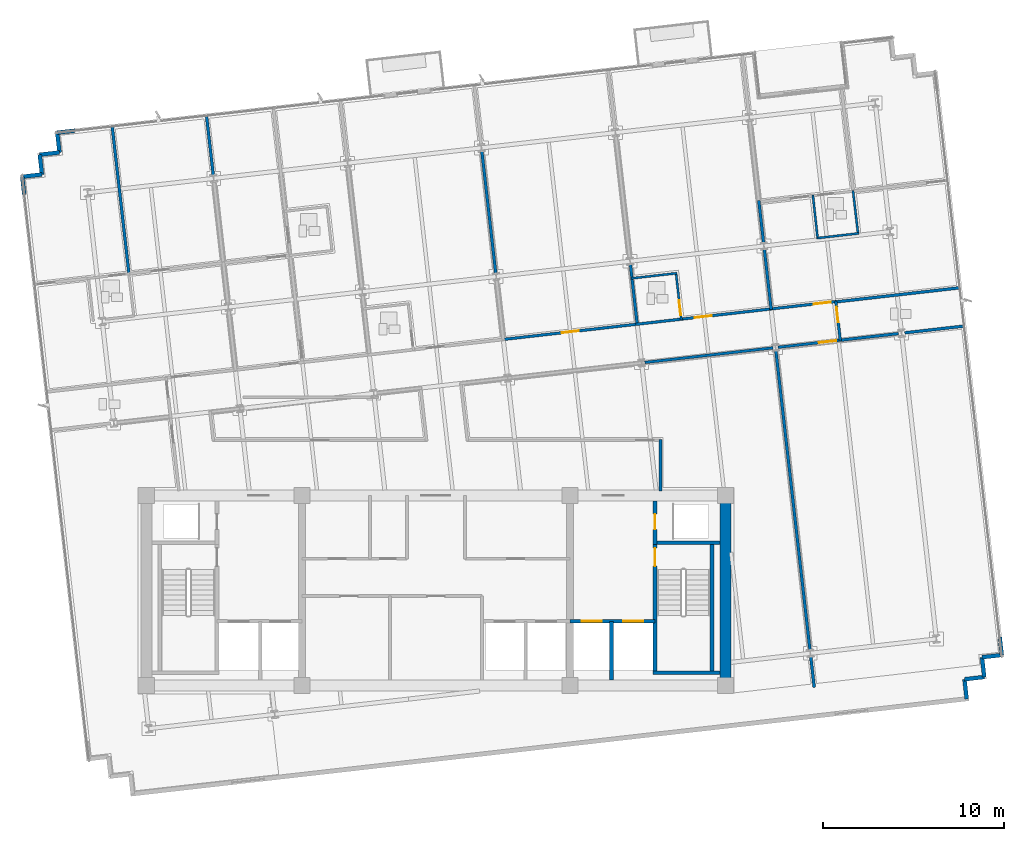
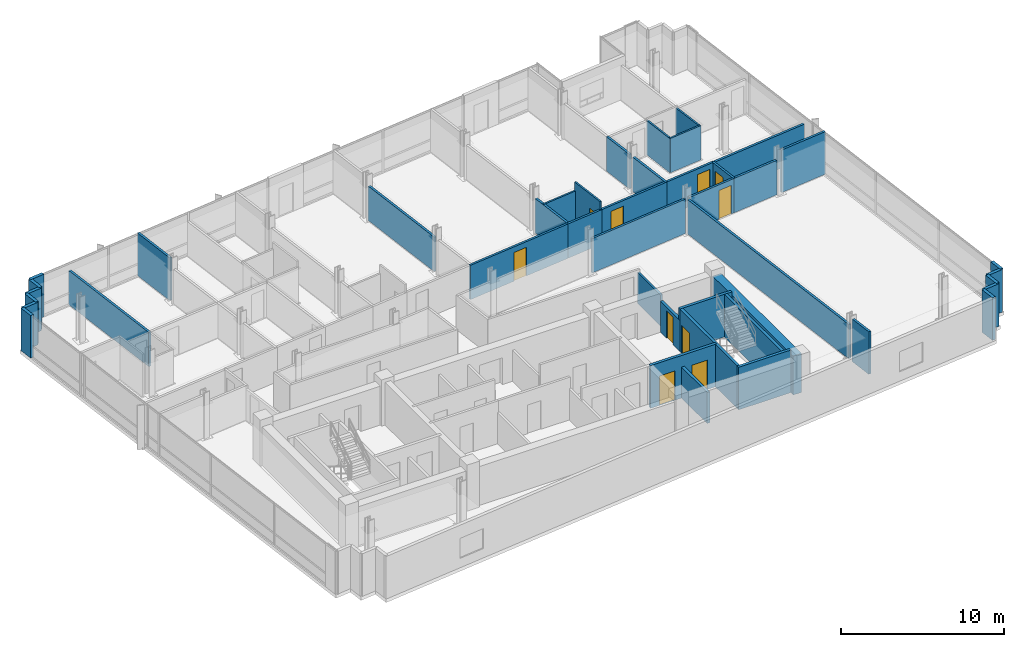
# One storey, part 11 of 16: 43 walls, 10 doors, 10 openings.
"""IFC4 building model written with IfcOpenShell, lengths in metres."""

from ifc_helpers import new_model, si_unit, direction, frame, frame_2d, origin, place, context, subcontext, project, spatial, rectangle, extrude, material, layer, layer_set, type_object, element, fill, save


model = new_model("IFC4")

# Units and contexts
model_context = context("Model", 3, precision=1e-05, world=origin(), true_north=direction((0.0, 1.0)))
body_context = subcontext(model_context, "Body", "Model", "MODEL_VIEW")
ifc_project = project(units=[si_unit("LENGTHUNIT", "METRE"), si_unit("AREAUNIT", "SQUARE_METRE"), si_unit("VOLUMEUNIT", "CUBIC_METRE"), si_unit("PLANEANGLEUNIT", "RADIAN"), si_unit("MASSUNIT", "GRAM", prefix="KILO")], contexts=[model_context])

# Site, building, storey
site_placement = place(None, origin())
site = spatial("IfcSite", under=ifc_project, at=site_placement, CompositionType="ELEMENT")
building_placement = place(site_placement, origin())
building = spatial("IfcBuilding", under=site, at=building_placement, Name="Solmavex Isthmus Hotel", CompositionType="ELEMENT")
storey_placement = place(building_placement, frame((0.0, 0.0, 219.300048828125)))
storey = spatial("IfcBuildingStorey", under=building, at=storey_placement, Name="L59", CompositionType="ELEMENT", Elevation=219.300048828125)

# Walls
ifc_material_1 = material(Name="Precast Concrete C40/50", Category="concrete")
ifc_layer_1 = layer(ifc_material_1, 0.25)
ifc_layer_set_1 = layer_set([ifc_layer_1], Name="Precast Concrete C40/50")
wall_type_1 = type_object("IfcWallType", Name="EW-TWR-250", PredefinedType="STANDARD", material=ifc_layer_set_1)
wall_1_placement = place(storey_placement, frame((-22.74755859375, 14.128173828125, 0.0), z_axis=(0.0, 0.0, 1.0), x_axis=(-0.113191877531, 0.993573147212, 0.0)))
element("IfcWall", 1, at=wall_1_placement, inside=storey, type_object=wall_type_1, Name="Serrated Corner Facade Panel L59-07", PredefinedType="STANDARD", context=body_context, shape_type="SweptSolid", body=[
    extrude(rectangle(XDim=0.989990234375, YDim=0.219970703125, at=frame_2d((0.4951171875, 0.0))), origin(), (0.0, 0.0, 1.0), 3.18994140625),
])
wall_2_placement = place(storey_placement, frame((-22.859619140625, 15.11181640625, 0.0), z_axis=(0.0, 0.0, 1.0), x_axis=(0.99357409499, 0.113183557839, 0.0)))
element("IfcWall", 2, at=wall_2_placement, inside=storey, type_object=wall_type_1, Name="Serrated Corner Facade Panel L59-08", PredefinedType="STANDARD", context=body_context, shape_type="SweptSolid", body=[
    extrude(rectangle(XDim=1.10009765625, YDim=0.219970703125, at=frame_2d((0.550048828125, 0.0))), origin(), (0.0, 0.0, 1.0), 3.18994140625),
])
wall_3_placement = place(storey_placement, frame((-21.7666015625, 15.236328125, 0.0), z_axis=(0.0, 0.0, 1.0), x_axis=(-0.11320852056, 0.99357125103, 0.0)))
element("IfcWall", 3, at=wall_3_placement, inside=storey, type_object=wall_type_1, Name="Serrated Corner Facade Panel L59-09", PredefinedType="STANDARD", context=body_context, shape_type="SweptSolid", body=[
    extrude(rectangle(XDim=1.099853515625, YDim=0.219970703125, at=frame_2d((0.5498046875, 0.0))), origin(), (0.0, 0.0, 1.0), 3.18994140625),
])
for number, where, z_axis, x_axis, name in (
    (4, (-21.89111328125, 16.3291015625, 0.0), (0.0, 0.0, 1.0), (0.99357409499, 0.113183557839, 0.0), "Serrated Corner Facade Panel L59-10"),
    (5, (-20.798095703125, 16.45361328125, 0.0), (0.0, 0.0, 1.0), (-0.113402635104, 0.993549114212, 0.0), "Serrated Corner Facade Panel L59-11"),
):
    element("IfcWall", number, at=place(storey_placement, frame(where, z_axis=z_axis, x_axis=x_axis)), inside=storey, type_object=wall_type_1, Name=name, PredefinedType="STANDARD", context=body_context, shape_type="SweptSolid", body=[
        extrude(rectangle(XDim=1.10009765625, YDim=0.219970703125, at=frame_2d((0.550048828125, 0.0))), origin(), (0.0, 0.0, 1.0), 3.18994140625),
    ])
for number, where, z_axis, x_axis, name in (
    (6, (-20.9228515625, 17.546630859375, 0.0), (0.0, 0.0, 1.0), (0.993573147212, 0.113191877531, 0.0), "Serrated Corner Facade Panel L59-12"),
    (7, (31.1474609375, -10.328125, 0.0), (0.0, 0.0, 1.0), (0.113191877531, -0.993573147212, 0.0), "Serrated Corner Facade Panel L59-21"),
):
    element("IfcWall", number, at=place(storey_placement, frame(where, z_axis=z_axis, x_axis=x_axis)), inside=storey, type_object=wall_type_1, Name=name, PredefinedType="STANDARD", context=body_context, shape_type="SweptSolid", body=[
        extrude(rectangle(XDim=0.989990234375, YDim=0.219970703125, at=frame_2d((0.4951171875, 0.0))), origin(), (0.0, 0.0, 1.0), 3.18994140625),
    ])
wall_4_placement = place(storey_placement, frame((31.259521484375, -11.311767578125, 0.0), z_axis=(0.0, 0.0, 1.0), x_axis=(-0.99357409499, -0.113183557839, 0.0)))
element("IfcWall", 8, at=wall_4_placement, inside=storey, type_object=wall_type_1, Name="Serrated Corner Facade Panel L59-22", PredefinedType="STANDARD", context=body_context, shape_type="SweptSolid", body=[
    extrude(rectangle(XDim=1.10009765625, YDim=0.219970703125, at=frame_2d((0.550048828125, 0.0))), origin(), (0.0, 0.0, 1.0), 3.18994140625),
])
wall_5_placement = place(storey_placement, frame((30.16650390625, -11.436279296875, 0.0), z_axis=(0.0, 0.0, 1.0), x_axis=(0.113427644885, -0.993546259303, 0.0)))
element("IfcWall", 9, at=wall_5_placement, inside=storey, type_object=wall_type_1, Name="Serrated Corner Facade Panel L59-23", PredefinedType="STANDARD", context=body_context, shape_type="SweptSolid", body=[
    extrude(rectangle(XDim=1.099853515625, YDim=0.219970703125, at=frame_2d((0.5498046875, 0.0))), origin(), (0.0, 0.0, 1.0), 3.18994140625),
])
for number, where, z_axis, x_axis, name in (
    (10, (30.291259765625, -12.529052734375, 0.0), (0.0, 0.0, 1.0), (-0.99357409499, -0.113183557839, 0.0), "Serrated Corner Facade Panel L59-24"),
    (11, (29.1982421875, -12.653564453125, 0.0), (0.0, 0.0, 1.0), (0.113183557839, -0.99357409499, 0.0), "Serrated Corner Facade Panel L59-25"),
):
    element("IfcWall", number, at=place(storey_placement, frame(where, z_axis=z_axis, x_axis=x_axis)), inside=storey, type_object=wall_type_1, Name=name, PredefinedType="STANDARD", context=body_context, shape_type="SweptSolid", body=[
        extrude(rectangle(XDim=1.10009765625, YDim=0.219970703125, at=frame_2d((0.550048828125, 0.0))), origin(), (0.0, 0.0, 1.0), 3.18994140625),
    ])
ifc_material_2 = material(Name="Gypsum plasterboard lining", Category="gypsum")
ifc_layer_2 = layer(ifc_material_2, 0.159912109375)
ifc_layer_set_2 = layer_set([ifc_layer_2], Name="Gypsum plasterboard lining")
wall_type_2 = type_object("IfcWallType", Name="IW-COMP-160", PredefinedType="PARTITIONING", material=ifc_layer_set_2)
wall_6_placement = place(storey_placement, frame((-17.891845703125, 17.922119140625, 0.0), z_axis=(0.0, 0.0, 1.0), x_axis=(0.113204062827, -0.993571758938, 0.0)))
element("IfcWall", 12, at=wall_6_placement, inside=storey, type_object=wall_type_2, Name="Interior Partition Wall W-L59-P034", PredefinedType="PARTITIONING", context=body_context, shape_type="SweptSolid", body=[
    extrude(rectangle(XDim=8.26220703125, YDim=0.159912109375, at=frame_2d((4.131103515625, 0.0))), origin(), (0.0, 0.0, 1.0), 2.557373046875),
])
wall_7_placement = place(storey_placement, frame((-12.681396484375, 18.515869140625, 0.0), z_axis=(0.0, 0.0, 1.0), x_axis=(0.113171804991, -0.993575433752, 0.0)))
element("IfcWall", 13, at=wall_7_placement, inside=storey, type_object=wall_type_2, Name="Interior Partition Wall W-L59-P036", PredefinedType="PARTITIONING", context=body_context, shape_type="SweptSolid", body=[
    extrude(rectangle(XDim=3.34375, YDim=0.159912109375, at=frame_2d((1.671875, 0.0))), origin(), (0.0, 0.0, 1.0), 3.18994140625),
])
wall_8_placement = place(storey_placement, frame((2.533203125, 16.529052734375, 0.0), z_axis=(0.0, 0.0, 1.0), x_axis=(0.11321341463, -0.993570693382, 0.0)))
element("IfcWall", 14, at=wall_8_placement, inside=storey, type_object=wall_type_2, Name="Interior Partition Wall W-L59-P051", PredefinedType="PARTITIONING", context=body_context, shape_type="SweptSolid", body=[
    extrude(rectangle(XDim=6.79931640625, YDim=0.159912109375, at=frame_2d((3.399658203125, 0.0))), origin(), (0.0, 0.0, 1.0), 2.572265625),
])
wall_9_placement = place(storey_placement, frame((10.740966796875, 10.265869140625, 0.0), z_axis=(0.0, 0.0, 1.0), x_axis=(0.113220917918, -0.993569838384, 0.0)))
element("IfcWall", 15, at=wall_9_placement, inside=storey, type_object=wall_type_2, Name="Interior Partition Wall W-L59-P055", PredefinedType="PARTITIONING", context=body_context, shape_type="SweptSolid", body=[
    extrude(rectangle(XDim=3.36181640625, YDim=0.159912109375, at=frame_2d((1.680908203125, 0.0))), origin(), (0.0, 0.0, 1.0), 2.572265625),
])
wall_10_placement = place(storey_placement, frame((17.83251953125, 13.7998046875, 0.0), z_axis=(0.0, 0.0, 1.0), x_axis=(0.113172451573, -0.993575360104, 0.0)))
element("IfcWall", 16, at=wall_10_placement, inside=storey, type_object=wall_type_2, Name="Interior Partition Wall W-L59-P058", PredefinedType="PARTITIONING", context=body_context, shape_type="SweptSolid", body=[
    extrude(rectangle(XDim=2.355712890625, YDim=0.159912109375, at=frame_2d((1.177734375, 0.0))), origin(), (0.0, 0.0, 1.0), 2.572265625),
])
wall_11_placement = place(storey_placement, frame((18.13916015625, 11.108642578125, 0.0), z_axis=(0.0, 0.0, 1.0), x_axis=(0.113229088195, -0.993568907317, 0.0)))
element("IfcWall", 17, at=wall_11_placement, inside=storey, type_object=wall_type_2, Name="Interior Partition Wall W-L59-P059", PredefinedType="PARTITIONING", context=body_context, shape_type="SweptSolid", body=[
    extrude(rectangle(XDim=3.361572265625, YDim=0.159912109375, at=frame_2d((1.6806640625, 0.0))), origin(), (0.0, 0.0, 1.0), 2.572265625),
])
wall_12_placement = place(storey_placement, frame((28.977783203125, 8.98046875, 0.0), z_axis=(0.0, 0.0, 1.0), x_axis=(-0.993571800428, -0.113203698681, 0.0)))
element("IfcWall", 18, at=wall_12_placement, inside=storey, type_object=wall_type_2, Name="Interior Partition Wall W-L59-P067", PredefinedType="PARTITIONING", context=body_context, shape_type="SweptSolid", body=[
    extrude(rectangle(XDim=6.968017578125, YDim=0.159912109375, at=frame_2d((3.48388671875, 0.0))), origin(), (0.0, 0.0, 1.0), 2.557373046875),
])
wall_13_placement = place(storey_placement, frame((25.546142578125, 6.44580078125, 0.0), z_axis=(0.0, 0.0, 1.0), x_axis=(-0.993568592225, -0.113231853041, 0.0)))
element("IfcWall", 19, at=wall_13_placement, inside=storey, type_object=wall_type_2, Name="Interior Partition Wall W-L59-P072", PredefinedType="PARTITIONING", context=body_context, shape_type="SweptSolid", body=[
    extrude(rectangle(XDim=3.281494140625, YDim=0.159912109375, at=frame_2d((1.640625, 0.0))), origin(), (0.0, 0.0, 1.0), 2.572265625),
])
wall_14_placement = place(storey_placement, frame((29.21875, 6.864013671875, 0.0), z_axis=(0.0, 0.0, 1.0), x_axis=(-0.993574498496, -0.113180015629, 0.0)))
element("IfcWall", 20, at=wall_14_placement, inside=storey, type_object=wall_type_2, Name="Interior Partition Wall W-L59-P073", PredefinedType="PARTITIONING", context=body_context, shape_type="SweptSolid", body=[
    extrude(rectangle(XDim=3.343505859375, YDim=0.159912109375, at=frame_2d((1.671875, 0.0))), origin(), (0.0, 0.0, 1.0), 3.18994140625),
])
wall_15_placement = place(storey_placement, frame((18.778564453125, 5.4970703125, 0.0), z_axis=(0.0, 0.0, 1.0), x_axis=(0.113202873157, -0.993571894484, 0.0)))
element("IfcWall", 21, at=wall_15_placement, inside=storey, type_object=wall_type_2, Name="Interior Partition Wall W-L59-P074", PredefinedType="PARTITIONING", context=body_context, shape_type="SweptSolid", body=[
    extrude(rectangle(XDim=16.647216796875, YDim=0.159912109375, at=frame_2d((8.32373046875, 0.0))), origin(), (0.0, 0.0, 1.0), 2.572265625),
])
wall_16_placement = place(storey_placement, frame((20.702880859375, -11.3935546875, 0.0), z_axis=(0.0, 0.0, 1.0), x_axis=(0.113261307971, -0.993565234958, 0.0)))
element("IfcWall", 22, at=wall_16_placement, inside=storey, type_object=wall_type_2, Name="Interior Partition Wall W-L59-P075", PredefinedType="PARTITIONING", context=body_context, shape_type="SweptSolid", body=[
    extrude(rectangle(XDim=1.713623046875, YDim=0.159912109375, at=frame_2d((0.85693359375, 0.0))), origin(), (0.0, 0.0, 1.0), 3.18994140625),
])

# Wall, opening, door
ifc_layer_3 = layer(ifc_material_2, 0.14990234375)
ifc_layer_set_3 = layer_set([ifc_layer_3], Name="Gypsum plasterboard lining")
wall_type_3 = type_object("IfcWallType", Name="IW-CORR-150", PredefinedType="PARTITIONING", material=ifc_layer_set_3)
wall_17_placement = place(storey_placement, frame((3.637451171875, 6.11328125, 0.0), z_axis=(0.0, 0.0, 1.0), x_axis=(0.993570360949, 0.113216332056, 0.0)))
wall_17 = element("IfcWall", 23, at=wall_17_placement, inside=storey, type_object=wall_type_3, Name="Interior Partition Wall W-L59-P006", PredefinedType="PARTITIONING", context=body_context, shape_type="SweptSolid", body=[
    extrude(rectangle(XDim=7.60986328125, YDim=0.14990234375, at=frame_2d((3.804931640625, 0.0))), origin(), (0.0, 0.0, 1.0), 2.572265625),
])
opening_1_placement = place(wall_17_placement, frame((3.330078125, 0.0, 0.0)))
opening_1 = element("IfcOpeningElement", 24, at=opening_1_placement, cuts=wall_17, Name="Opening ID-C095", PredefinedType="OPENING", context=body_context, shape_type="SweptSolid", body=[
    extrude(rectangle(XDim=0.949951171875, YDim=2.14990234375, at=frame_2d((0.47509765625, 1.074951171875))), frame((0.0, 0.0849609375, 0.0), z_axis=(0.0, -1.0, 0.0), x_axis=(1.0, 0.0, 0.0)), (0.0, 0.0, 1.0), 0.169921875),
])
ifc_material_3 = material(Name="Hardwood timber", Category="wood")
door_type_1 = type_object("IfcDoorType", Name="IDR-FD60-0950", OperationType="NOTDEFINED", PredefinedType="DOOR", material=ifc_material_3)
door_1_placement = place(opening_1_placement, origin())
door_1 = element("IfcDoor", 25, at=door_1_placement, inside=storey, type_object=door_type_1, Name="Ambassador Banquet Lounge Door L59-11", OperationType="SINGLE_SWING_LEFT", OverallHeight=2.14990234375, OverallWidth=0.949951171875, PredefinedType="DOOR", context=body_context, shape_type="SweptSolid", body=[
    extrude(rectangle(XDim=0.949951171875, YDim=2.14990234375, at=frame_2d((0.47509765625, 1.074951171875))), frame((0.0, 0.02490234375, 0.0), z_axis=(0.0, -1.0, 0.0), x_axis=(1.0, 0.0, 0.0)), (0.0, 0.0, 1.0), 0.050048828125),
])
fill(opening_1, door_1)

wall_18_placement = place(storey_placement, frame((13.4697265625, 7.233642578125, 0.0), z_axis=(0.0, 0.0, 1.0), x_axis=(0.993569981158, 0.113219664996, 0.0)))
wall_18 = element("IfcWall", 26, at=wall_18_placement, inside=storey, type_object=wall_type_3, Name="Interior Partition Wall W-L59-P007", PredefinedType="PARTITIONING", context=body_context, shape_type="SweptSolid", body=[
    extrude(rectangle(XDim=5.16015625, YDim=0.14990234375, at=frame_2d((2.580078125, 0.0))), origin(), (0.0, 0.0, 1.0), 2.572265625),
])
opening_2_placement = place(wall_18_placement, frame((0.82470703125, 0.0, 0.0)))
opening_2 = element("IfcOpeningElement", 27, at=opening_2_placement, cuts=wall_18, Name="Opening ID-C095", PredefinedType="OPENING", context=body_context, shape_type="SweptSolid", body=[
    extrude(rectangle(XDim=0.949951171875, YDim=2.14990234375, at=frame_2d((0.47509765625, 1.074951171875))), frame((0.0, 0.0849609375, 0.0), z_axis=(0.0, -1.0, 0.0), x_axis=(1.0, 0.0, 0.0)), (0.0, 0.0, 1.0), 0.169921875),
])
door_2_placement = place(opening_2_placement, origin())
door_2 = element("IfcDoor", 28, at=door_2_placement, inside=storey, type_object=door_type_1, Name="Corner Diplomatic Suite Door L59-12", OperationType="SINGLE_SWING_RIGHT", OverallHeight=2.14990234375, OverallWidth=0.949951171875, PredefinedType="DOOR", context=body_context, shape_type="SweptSolid", body=[
    extrude(rectangle(XDim=0.949951171875, YDim=2.14990234375, at=frame_2d((0.47509765625, 1.074951171875))), frame((0.0, 0.02490234375, 0.0), z_axis=(0.0, -1.0, 0.0), x_axis=(1.0, 0.0, 0.0)), (0.0, 0.0, 1.0), 0.050048828125),
])
fill(opening_2, door_2)

# Wall
wall_19_placement = place(storey_placement, frame((11.03564453125, 6.956298828125, 0.0), z_axis=(0.0, 0.0, 1.0), x_axis=(0.993572349416, 0.113198880193, 0.0)))
element("IfcWall", 29, at=wall_19_placement, inside=storey, type_object=wall_type_3, Name="Interior Partition Wall W-L59-P008", PredefinedType="PARTITIONING", context=body_context, shape_type="SweptSolid", body=[
    extrude(rectangle(XDim=2.614013671875, YDim=0.14990234375, at=frame_2d((1.30712890625, 0.0))), origin(), (0.0, 0.0, 1.0), 2.572265625),
])

# Wall, opening, door
wall_20_placement = place(storey_placement, frame((18.43359375, 7.79931640625, 0.0), z_axis=(0.0, 0.0, 1.0), x_axis=(0.993578468541, 0.11314515832, 0.0)))
wall_20 = element("IfcWall", 30, at=wall_20_placement, inside=storey, type_object=wall_type_3, Name="Interior Partition Wall W-L59-P009", PredefinedType="PARTITIONING", context=body_context, shape_type="SweptSolid", body=[
    extrude(rectangle(XDim=3.72216796875, YDim=0.14990234375, at=frame_2d((1.861083984375, 0.0))), origin(), (0.0, 0.0, 1.0), 2.572265625),
])
opening_3_placement = place(wall_20_placement, frame((2.456787109375, 0.0, 0.0)))
opening_3 = element("IfcOpeningElement", 31, at=opening_3_placement, cuts=wall_20, Name="Opening ID-C095", PredefinedType="OPENING", context=body_context, shape_type="SweptSolid", body=[
    extrude(rectangle(XDim=0.949951171875, YDim=2.14990234375, at=frame_2d((0.47509765625, 1.074951171875))), frame((0.0, 0.0849609375, 0.0), z_axis=(0.0, -1.0, 0.0), x_axis=(1.0, 0.0, 0.0)), (0.0, 0.0, 1.0), 0.169921875),
])
door_3_placement = place(opening_3_placement, origin())
door_3 = element("IfcDoor", 32, at=door_3_placement, inside=storey, type_object=door_type_1, Name="Diplomatic Hospitality Suite Reception Foyer Door L59-14", OperationType="SINGLE_SWING_RIGHT", OverallHeight=2.14990234375, OverallWidth=0.949951171875, PredefinedType="DOOR", context=body_context, shape_type="SweptSolid", body=[
    extrude(rectangle(XDim=0.949951171875, YDim=2.14990234375, at=frame_2d((0.47509765625, 1.074951171875))), frame((0.0, 0.02490234375, 0.0), z_axis=(0.0, -1.0, 0.0), x_axis=(1.0, 0.0, 0.0)), (0.0, 0.0, 1.0), 0.050048828125),
])
fill(opening_3, door_3)

wall_21_placement = place(storey_placement, frame((22.08984375, 8.23583984375, 0.0), z_axis=(0.0, 0.0, 1.0), x_axis=(0.113122854389, -0.993581008179, 0.0)))
wall_21 = element("IfcWall", 33, at=wall_21_placement, inside=storey, type_object=wall_type_3, Name="Interior Partition Wall W-L59-P011", PredefinedType="PARTITIONING", context=body_context, shape_type="SweptSolid", body=[
    extrude(rectangle(XDim=2.2099609375, YDim=0.14990234375, at=frame_2d((1.10498046875, 0.0))), origin(), (0.0, 0.0, 1.0), 2.572265625),
])
opening_4_placement = place(wall_21_placement, frame((0.322265625, 0.0, 0.0)))
opening_4 = element("IfcOpeningElement", 34, at=opening_4_placement, cuts=wall_21, Name="Opening ID-R085", PredefinedType="OPENING", context=body_context, shape_type="SweptSolid", body=[
    extrude(rectangle(XDim=0.85009765625, YDim=2.050048828125, at=frame_2d((0.425048828125, 1.02490234375))), frame((0.0, 0.0849609375, 0.0), z_axis=(0.0, -1.0, 0.0), x_axis=(1.0, 0.0, 0.0)), (0.0, 0.0, 1.0), 0.169921875),
])
ifc_material_4 = material(Name="Steel ASTM A500 Grade C", Category="steel")
door_type_2 = type_object("IfcDoorType", Name="IDR-FD60-0850", OperationType="NOTDEFINED", PredefinedType="DOOR", material=ifc_material_4)
door_4_placement = place(opening_4_placement, frame((0.85009765625, 0.0, 0.0), z_axis=(0.0, 0.0, 1.0), x_axis=(-1.0, 0.0, 0.0)))
door_4 = element("IfcDoor", 35, at=door_4_placement, inside=storey, type_object=door_type_2, Name="Public Restroom WC Door L59-19", OperationType="SINGLE_SWING_LEFT", OverallHeight=2.050048828125, OverallWidth=0.85009765625, PredefinedType="DOOR", context=body_context, shape_type="SweptSolid", body=[
    extrude(rectangle(XDim=0.85009765625, YDim=2.050048828125, at=frame_2d((0.425048828125, 1.02490234375))), frame((0.0, 0.02490234375, 0.0), z_axis=(0.0, -1.0, 0.0), x_axis=(1.0, 0.0, 0.0)), (0.0, 0.0, 1.0), 0.050048828125),
])
fill(opening_4, door_4)

# Walls
wall_22_placement = place(storey_placement, frame((12.39990234375, 0.590087890625, 0.0), z_axis=(0.0, 0.0, 1.0), x_axis=(0.0, -1.0, 0.0)))
element("IfcWall", 36, at=wall_22_placement, inside=storey, type_object=wall_type_3, Name="Interior Partition Wall W-L59-P022", PredefinedType="PARTITIONING", context=body_context, shape_type="SweptSolid", body=[
    extrude(rectangle(XDim=2.830078125, YDim=0.14990234375, at=frame_2d((1.4150390625, 0.0))), origin(), (0.0, 0.0, 1.0), 2.324951171875),
])
wall_23_placement = place(storey_placement, frame((18.625, 5.6572265625, 0.0), z_axis=(0.0, 0.0, 1.0), x_axis=(-0.993569785772, -0.11322137961, 0.0)))
element("IfcWall", 37, at=wall_23_placement, inside=storey, type_object=wall_type_3, Name="Interior Partition Wall W-L59-P024", PredefinedType="PARTITIONING", context=body_context, shape_type="SweptSolid", body=[
    extrude(rectangle(XDim=7.13525390625, YDim=0.14990234375, at=frame_2d((3.567626953125, 0.0))), origin(), (0.0, 0.0, 1.0), 2.572265625),
])

# Wall, opening, door
wall_24_placement = place(storey_placement, frame((22.375244140625, 6.08447265625, 0.0), z_axis=(0.0, 0.0, 1.0), x_axis=(-0.993568982909, -0.113228424882, 0.0)))
wall_24 = element("IfcWall", 38, at=wall_24_placement, inside=storey, type_object=wall_type_3, Name="Interior Partition Wall W-L59-P025", PredefinedType="PARTITIONING", context=body_context, shape_type="SweptSolid", body=[
    extrude(rectangle(XDim=3.505859375, YDim=0.14990234375, at=frame_2d((1.7529296875, 0.0))), origin(), (0.0, 0.0, 1.0), 2.572265625),
])
opening_5_placement = place(wall_24_placement, frame((0.270751953125, 0.0, 0.0)))
opening_5 = element("IfcOpeningElement", 39, at=opening_5_placement, cuts=wall_24, Name="Opening ID-C095", PredefinedType="OPENING", context=body_context, shape_type="SweptSolid", body=[
    extrude(rectangle(XDim=0.949951171875, YDim=2.14990234375, at=frame_2d((0.47509765625, 1.074951171875))), frame((0.0, 0.0849609375, 0.0), z_axis=(0.0, -1.0, 0.0), x_axis=(1.0, 0.0, 0.0)), (0.0, 0.0, 1.0), 0.169921875),
])
door_5_placement = place(opening_5_placement, origin())
door_5 = element("IfcDoor", 40, at=door_5_placement, inside=storey, type_object=door_type_1, Name="Corporate Briefing Office Door L59-23", OperationType="SINGLE_SWING_LEFT", OverallHeight=2.14990234375, OverallWidth=0.949951171875, PredefinedType="DOOR", context=body_context, shape_type="SweptSolid", body=[
    extrude(rectangle(XDim=0.949951171875, YDim=2.14990234375, at=frame_2d((0.47509765625, 1.074951171875))), frame((0.0, 0.02490234375, 0.0), z_axis=(0.0, -1.0, 0.0), x_axis=(1.0, 0.0, 0.0)), (0.0, 0.0, 1.0), 0.050048828125),
])
fill(opening_5, door_5)

ifc_layer_4 = layer(ifc_material_2, 0.1201171875)
ifc_layer_set_4 = layer_set([ifc_layer_4], Name="Gypsum plasterboard lining")
wall_type_4 = type_object("IfcWallType", Name="IW-PART-120", PredefinedType="PARTITIONING", material=ifc_layer_set_4)
wall_25_placement = place(storey_placement, frame((13.555908203125, 7.203125, 0.0), z_axis=(0.0, 0.0, 1.0), x_axis=(-0.113242913364, 0.993567331676, 0.0)))
wall_25 = element("IfcWall", 41, at=wall_25_placement, inside=storey, type_object=wall_type_4, Name="Interior Partition Wall W-L59-P056", PredefinedType="PARTITIONING", context=body_context, shape_type="SweptSolid", body=[
    extrude(rectangle(XDim=2.630126953125, YDim=0.1201171875, at=frame_2d((1.31494140625, 0.0))), origin(), (0.0, 0.0, 1.0), 3.18994140625),
])
opening_6_placement = place(wall_25_placement, frame((0.247314453125, 0.0, 0.0)))
opening_6 = element("IfcOpeningElement", 42, at=opening_6_placement, cuts=wall_25, Name="Opening ID-U085", PredefinedType="OPENING", context=body_context, shape_type="SweptSolid", body=[
    extrude(rectangle(XDim=0.85009765625, YDim=2.10009765625, at=frame_2d((0.425048828125, 1.050048828125))), frame((0.0, 0.070068359375, 0.0), z_axis=(0.0, -1.0, 0.0), x_axis=(1.0, 0.0, 0.0)), (0.0, 0.0, 1.0), 0.14013671875),
])
door_type_3 = type_object("IfcDoorType", Name="IDR-UNR-0850", OperationType="NOTDEFINED", PredefinedType="DOOR", material=ifc_material_3)
door_6_placement = place(opening_6_placement, frame((0.85009765625, 0.0, 0.0), z_axis=(0.0, 0.0, 1.0), x_axis=(-1.0, 0.0, 0.0)))
door_6 = element("IfcDoor", 43, at=door_6_placement, inside=storey, type_object=door_type_3, Name="En-suite Bathroom Door L59-13", OperationType="SINGLE_SWING_LEFT", OverallHeight=2.10009765625, OverallWidth=0.85009765625, PredefinedType="DOOR", context=body_context, shape_type="SweptSolid", body=[
    extrude(rectangle(XDim=0.85009765625, YDim=2.10009765625, at=frame_2d((0.425048828125, 1.050048828125))), frame((0.0, 0.02490234375, 0.0), z_axis=(0.0, -1.0, 0.0), x_axis=(1.0, 0.0, 0.0)), (0.0, 0.0, 1.0), 0.050048828125),
])
fill(opening_6, door_6)

# Walls
wall_26_placement = place(storey_placement, frame((13.30224609375, 9.781005859375, 0.0), z_axis=(0.0, 0.0, 1.0), x_axis=(-0.99357273507, -0.113195495167, 0.0)))
element("IfcWall", 44, at=wall_26_placement, inside=storey, type_object=wall_type_4, Name="Interior Partition Wall W-L59-P057", PredefinedType="PARTITIONING", context=body_context, shape_type="SweptSolid", body=[
    extrude(rectangle(XDim=2.530029296875, YDim=0.1201171875, at=frame_2d((1.26513671875, 0.0))), origin(), (0.0, 0.0, 1.0), 2.572265625),
])
wall_27_placement = place(storey_placement, frame((20.822265625, 14.09814453125, 0.0), z_axis=(0.0, 0.0, 1.0), x_axis=(0.108909641448, -0.994051653587, 0.0)))
element("IfcWall", 45, at=wall_27_placement, inside=storey, type_object=wall_type_4, Name="Interior Partition Wall W-L59-P064", PredefinedType="PARTITIONING", context=body_context, shape_type="SweptSolid", body=[
    extrude(rectangle(XDim=2.429931640625, YDim=0.1201171875, at=frame_2d((1.21484375, 0.0))), origin(), (0.0, 0.0, 1.0), 2.572265625),
])
wall_28_placement = place(storey_placement, frame((21.04296875, 11.7177734375, 0.0), z_axis=(0.0, 0.0, 1.0), x_axis=(0.99357583204, 0.113168308226, 0.0)))
element("IfcWall", 46, at=wall_28_placement, inside=storey, type_object=wall_type_4, Name="Interior Partition Wall W-L59-P065", PredefinedType="PARTITIONING", context=body_context, shape_type="SweptSolid", body=[
    extrude(rectangle(XDim=2.329833984375, YDim=0.1201171875, at=frame_2d((1.1650390625, 0.0))), origin(), (0.0, 0.0, 1.0), 2.572265625),
])
wall_29_placement = place(storey_placement, frame((23.32275390625, 11.937255859375, 0.0), z_axis=(0.0, 0.0, 1.0), x_axis=(-0.117342526496, 0.993091502066, 0.0)))
element("IfcWall", 47, at=wall_29_placement, inside=storey, type_object=wall_type_4, Name="Interior Partition Wall W-L59-P066", PredefinedType="PARTITIONING", context=body_context, shape_type="SweptSolid", body=[
    extrude(rectangle(XDim=2.43017578125, YDim=0.1201171875, at=frame_2d((1.215087890625, 0.0))), origin(), (0.0, 0.0, 1.0), 2.572265625),
])

# Wall, opening, door
ifc_material_5 = material(Name="Concrete C40/50", Category="concrete")
ifc_layer_5 = layer(ifc_material_5, 0.199951171875)
ifc_layer_set_5 = layer_set([ifc_layer_5], Name="Concrete C40/50")
wall_type_5 = type_object("IfcWallType", Name="IW-SHAFT-200", PredefinedType="PARTITIONING", material=ifc_layer_set_5)
wall_30_placement = place(storey_placement, frame((12.10009765625, -5.199951171875, 0.0), z_axis=(0.0, 0.0, 1.0), x_axis=(0.0, 1.0, 0.0)))
wall_30 = element("IfcWall", 48, at=wall_30_placement, inside=storey, type_object=wall_type_5, Name="Interior Partition Wall W-L59-RSE-W", PredefinedType="PARTITIONING", context=body_context, shape_type="SweptSolid", body=[
    extrude(rectangle(XDim=2.39990234375, YDim=0.199951171875, at=frame_2d((1.199951171875, 0.0))), origin(), (0.0, 0.0, 1.0), 2.324951171875),
])
opening_7_placement = place(wall_30_placement, frame((0.824951171875, 0.0, 0.0)))
opening_7 = element("IfcOpeningElement", 49, at=opening_7_placement, cuts=wall_30, Name="Opening ID-R085", PredefinedType="OPENING", context=body_context, shape_type="SweptSolid", body=[
    extrude(rectangle(XDim=0.85009765625, YDim=2.050048828125, at=frame_2d((0.425048828125, 1.02490234375))), frame((0.0, 0.10986328125, 0.0), z_axis=(0.0, -1.0, 0.0), x_axis=(1.0, 0.0, 0.0)), (0.0, 0.0, 1.0), 0.219970703125),
])
door_7_placement = place(opening_7_placement, frame((0.85009765625, 0.0, 0.0), z_axis=(0.0, 0.0, 1.0), x_axis=(-1.0, 0.0, 0.0)))
door_7 = element("IfcDoor", 50, at=door_7_placement, inside=storey, type_object=door_type_2, Name="Mechanical Riser Door L59", OperationType="SINGLE_SWING_LEFT", OverallHeight=2.050048828125, OverallWidth=0.85009765625, PredefinedType="DOOR", context=body_context, shape_type="SweptSolid", body=[
    extrude(rectangle(XDim=0.85009765625, YDim=2.050048828125, at=frame_2d((0.425048828125, 1.02490234375))), frame((0.0, 0.02490234375, 0.0), z_axis=(0.0, -1.0, 0.0), x_axis=(1.0, 0.0, 0.0)), (0.0, 0.0, 1.0), 0.050048828125),
])
fill(opening_7, door_7)

# Wall, openings, doors
wall_31_placement = place(storey_placement, frame((7.39990234375, -9.449951171875, 0.0), z_axis=(0.0, 0.0, 1.0), x_axis=(1.0, 0.0, 0.0)))
wall_31 = element("IfcWall", 51, at=wall_31_placement, inside=storey, type_object=wall_type_5, Name="Interior Partition Wall W-L59-FFLE-S", PredefinedType="PARTITIONING", context=body_context, shape_type="SweptSolid", body=[
    extrude(rectangle(XDim=4.7001953125, YDim=0.199951171875, at=frame_2d((2.35009765625, 0.0))), origin(), (0.0, 0.0, 1.0), 3.18994140625),
])
opening_8_placement = place(wall_31_placement, frame((2.949951171875, 0.0, 0.0)))
opening_8 = element("IfcOpeningElement", 52, at=opening_8_placement, cuts=wall_31, Name="Opening LD-FF", PredefinedType="OPENING", context=body_context, shape_type="SweptSolid", body=[
    extrude(rectangle(XDim=1.10009765625, YDim=2.199951171875, at=frame_2d((0.550048828125, 1.10009765625))), frame((0.0, 0.10986328125, 0.0), z_axis=(0.0, -1.0, 0.0), x_axis=(1.0, 0.0, 0.0)), (0.0, 0.0, 1.0), 0.219970703125),
])
opening_9_placement = place(wall_31_placement, frame((0.64990234375, 0.0, 0.0)))
opening_9 = element("IfcOpeningElement", 53, at=opening_9_placement, cuts=wall_31, Name="Opening LD-SV", PredefinedType="OPENING", context=body_context, shape_type="SweptSolid", body=[
    extrude(rectangle(XDim=1.10009765625, YDim=2.199951171875, at=frame_2d((0.550048828125, 1.10009765625))), frame((0.0, 0.10986328125, 0.0), z_axis=(0.0, -1.0, 0.0), x_axis=(1.0, 0.0, 0.0)), (0.0, 0.0, 1.0), 0.219970703125),
])
ifc_material_6 = material(Name="Stainless steel 316", Category="steel")
door_type_4 = type_object("IfcDoorType", Name="LDR-FF-1100", OperationType="NOTDEFINED", PredefinedType="DOOR", material=ifc_material_6)
door_8_placement = place(opening_8_placement, origin())
door_8 = element("IfcDoor", 54, at=door_8_placement, inside=storey, type_object=door_type_4, Name="Lift Landing Door FFL-2 L59", OperationType="SLIDING_TO_LEFT", OverallHeight=2.199951171875, OverallWidth=1.10009765625, PredefinedType="DOOR", context=body_context, shape_type="SweptSolid", body=[
    extrude(rectangle(XDim=1.10009765625, YDim=2.199951171875, at=frame_2d((0.550048828125, 1.10009765625))), frame((0.0, 0.02490234375, 0.0), z_axis=(0.0, -1.0, 0.0), x_axis=(1.0, 0.0, 0.0)), (0.0, 0.0, 1.0), 0.050048828125),
])
fill(opening_8, door_8)
door_type_5 = type_object("IfcDoorType", Name="LDR-SV-1100", OperationType="NOTDEFINED", PredefinedType="DOOR", material=ifc_material_6)
door_9_placement = place(opening_9_placement, origin())
door_9 = element("IfcDoor", 55, at=door_9_placement, inside=storey, type_object=door_type_5, Name="Lift Landing Door SVL-2 L59", OperationType="SLIDING_TO_RIGHT", OverallHeight=2.199951171875, OverallWidth=1.10009765625, PredefinedType="DOOR", context=body_context, shape_type="SweptSolid", body=[
    extrude(rectangle(XDim=1.10009765625, YDim=2.199951171875, at=frame_2d((0.550048828125, 1.10009765625))), frame((0.0, 0.02490234375, 0.0), z_axis=(0.0, -1.0, 0.0), x_axis=(1.0, 0.0, 0.0)), (0.0, 0.0, 1.0), 0.050048828125),
])
fill(opening_9, door_9)

# Walls
wall_32_placement = place(storey_placement, frame((9.699951171875, -12.699951171875, 0.0), z_axis=(0.0, 0.0, 1.0), x_axis=(0.0, 1.0, 0.0)))
element("IfcWall", 56, at=wall_32_placement, inside=storey, type_object=wall_type_5, Name="Interior Partition Wall W-L59-FFLE-M", PredefinedType="PARTITIONING", context=body_context, shape_type="SweptSolid", body=[
    extrude(rectangle(XDim=3.25, YDim=0.199951171875, at=frame_2d((1.625, 0.0))), origin(), (0.0, 0.0, 1.0), 2.324951171875),
])
ifc_material_7 = material(Name="Concrete C50/60", Category="concrete")
ifc_layer_6 = layer(ifc_material_7, 0.60009765625)
ifc_layer_set_6 = layer_set([ifc_layer_6], Name="Concrete C50/60")
wall_type_6 = type_object("IfcWallType", Name="WALL-CW-600", PredefinedType="SHEAR", material=ifc_layer_set_6)
wall_33_placement = place(storey_placement, frame((16.0, -12.699951171875, 0.0), z_axis=(0.0, 0.0, 1.0), x_axis=(0.0, 1.0, 0.0)))
element("IfcWall", 57, at=wall_33_placement, inside=storey, type_object=wall_type_6, Name="Core Shear Wall East L59", PredefinedType="SHEAR", context=body_context, shape_type="SweptSolid", body=[
    extrude(rectangle(XDim=9.89990234375, YDim=0.60009765625, at=frame_2d((4.949951171875, 0.0))), origin(), (0.0, 0.0, 1.0), 2.909912109375),
])
ifc_layer_7 = layer(ifc_material_5, 0.199951171875)
ifc_layer_set_7 = layer_set([ifc_layer_7], Name="Concrete C40/50")
wall_type_7 = type_object("IfcWallType", Name="WALL-SW-200", PredefinedType="SOLIDWALL", material=ifc_layer_set_7)
for number, where, z_axis, x_axis, name in (
    (58, (12.0, -12.300048828125, 0.0), (0.0, 0.0, 1.0), (1.0, 0.0, 0.0), "Stairwell Structural Wall SW-L59-ST2-S"),
    (59, (12.0, -5.10009765625, 0.0), (0.0, 0.0, 1.0), (1.0, 0.0, 0.0), "Stairwell Structural Wall SW-L59-ST2-N"),
):
    element("IfcWall", number, at=place(storey_placement, frame(where, z_axis=z_axis, x_axis=x_axis)), inside=storey, type_object=wall_type_7, Name=name, PredefinedType="SOLIDWALL", context=body_context, shape_type="SweptSolid", body=[
        extrude(rectangle(XDim=3.699951171875, YDim=0.199951171875, at=frame_2d((1.85009765625, 0.0))), origin(), (0.0, 0.0, 1.0), 3.18994140625),
    ])

# Wall, opening, door
wall_34_placement = place(storey_placement, frame((12.10009765625, -12.199951171875, 0.0), z_axis=(0.0, 0.0, 1.0), x_axis=(0.0, 1.0, 0.0)))
wall_34 = element("IfcWall", 60, at=wall_34_placement, inside=storey, type_object=wall_type_7, Name="Stairwell Structural Wall SW-L59-ST2-W", PredefinedType="SOLIDWALL", context=body_context, shape_type="SweptSolid", body=[
    extrude(rectangle(XDim=7.0, YDim=0.199951171875, at=frame_2d((3.5, 0.0))), origin(), (0.0, 0.0, 1.0), 3.18994140625),
])
opening_10_placement = place(wall_34_placement, frame((5.800048828125, 0.0, 0.0)))
opening_10 = element("IfcOpeningElement", 61, at=opening_10_placement, cuts=wall_34, Name="Opening ID-F100", PredefinedType="OPENING", context=body_context, shape_type="SweptSolid", body=[
    extrude(rectangle(XDim=1.0, YDim=2.10009765625, at=frame_2d((0.5, 1.050048828125))), frame((0.0, 0.10986328125, 0.0), z_axis=(0.0, -1.0, 0.0), x_axis=(1.0, 0.0, 0.0)), (0.0, 0.0, 1.0), 0.219970703125),
])
door_type_6 = type_object("IfcDoorType", Name="IDR-FD90-1000", OperationType="NOTDEFINED", PredefinedType="DOOR", material=ifc_material_4)
door_10_placement = place(opening_10_placement, origin())
door_10 = element("IfcDoor", 62, at=door_10_placement, inside=storey, type_object=door_type_6, Name="Stair ST-2 Fire Door L59", OperationType="SINGLE_SWING_RIGHT", OverallHeight=2.10009765625, OverallWidth=1.0, PredefinedType="DOOR", context=body_context, shape_type="SweptSolid", body=[
    extrude(rectangle(XDim=1.0, YDim=2.10009765625, at=frame_2d((0.5, 1.050048828125))), frame((0.0, 0.02490234375, 0.0), z_axis=(0.0, -1.0, 0.0), x_axis=(1.0, 0.0, 0.0)), (0.0, 0.0, 1.0), 0.050048828125),
])
fill(opening_10, door_10)

# Wall
wall_35_placement = place(storey_placement, frame((15.25, -12.199951171875, 0.0), z_axis=(0.0, 0.0, 1.0), x_axis=(0.0, 1.0, 0.0)))
element("IfcWall", 63, at=wall_35_placement, inside=storey, type_object=wall_type_7, Name="Stairwell Structural Wall SW-L59-ST2-E", PredefinedType="SOLIDWALL", context=body_context, shape_type="SweptSolid", body=[
    extrude(rectangle(XDim=7.0, YDim=0.199951171875, at=frame_2d((3.5, 0.0))), origin(), (0.0, 0.0, 1.0), 3.18994140625),
])

save(model, "model.ifc")
